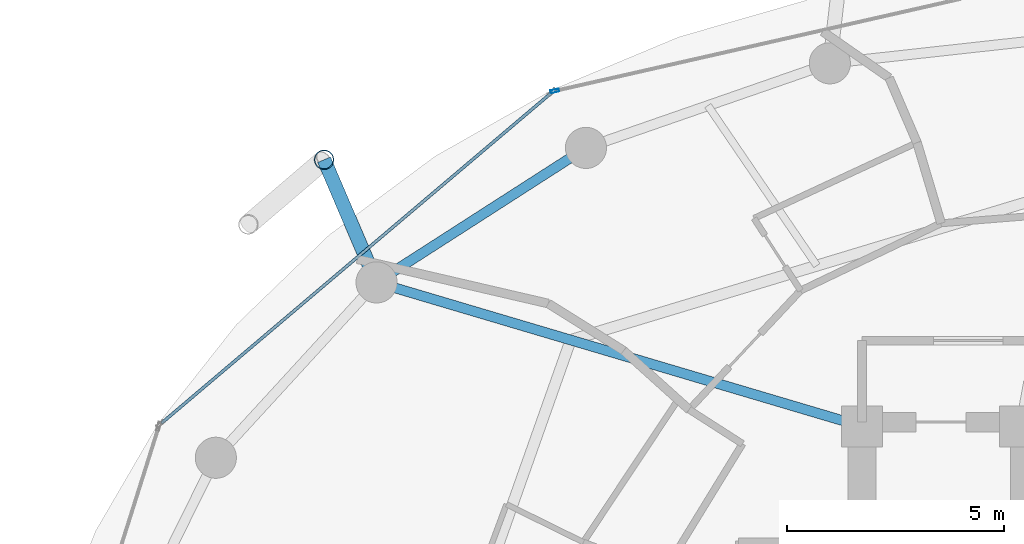
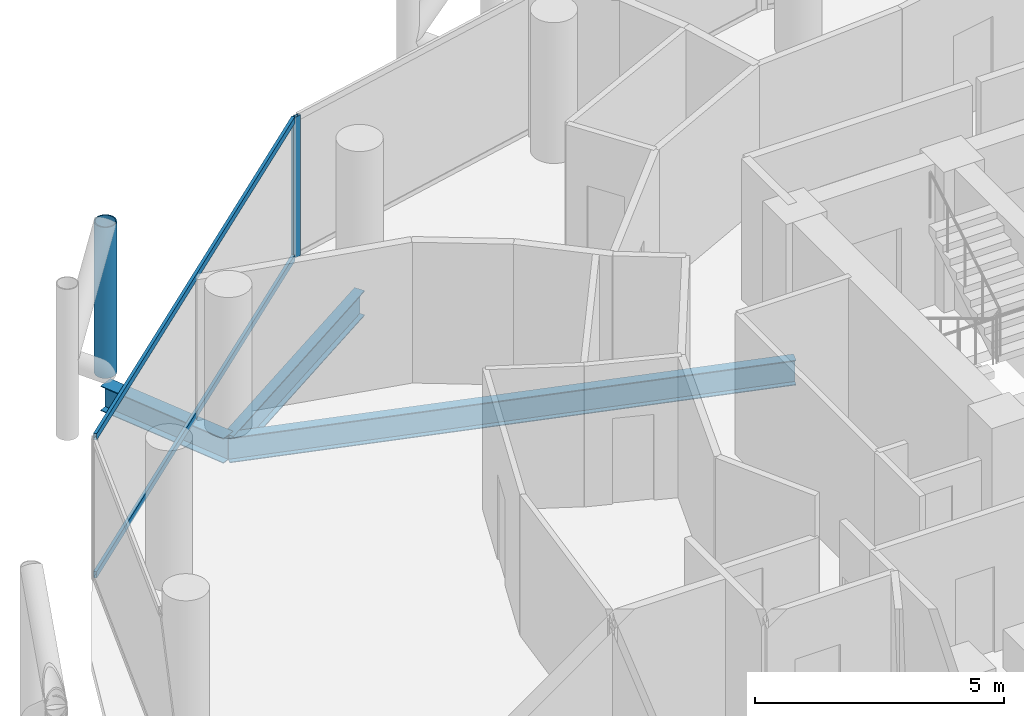
# One storey, part 14 of 26: 4 members, 3 beams, 2 elements without a shape of their own.
"""IFC4 building model written with IfcOpenShell, lengths in metres."""

from ifc_helpers import new_model, si_unit, direction, frame, origin, origin_2d, place, context, subcontext, project, spatial, hollow_rectangle, hollow_circle, i_section, extrude, material, layer, layer_set, material_profile, profile_set, type_object, element, aggregate, save


model = new_model("IFC4")

# Units and contexts
model_context = context("Model", 3, precision=1e-05, world=origin(), true_north=direction((0.0, 1.0)))
body_context = subcontext(model_context, "Body", "Model", "MODEL_VIEW")
ifc_project = project(units=[si_unit("LENGTHUNIT", "METRE"), si_unit("AREAUNIT", "SQUARE_METRE"), si_unit("VOLUMEUNIT", "CUBIC_METRE"), si_unit("PLANEANGLEUNIT", "RADIAN"), si_unit("MASSUNIT", "GRAM", prefix="KILO")], contexts=[model_context])

# Site, building, storey
site_placement = place(None, origin())
site = spatial("IfcSite", under=ifc_project, at=site_placement, CompositionType="ELEMENT")
building_placement = place(site_placement, origin())
building = spatial("IfcBuilding", under=site, at=building_placement, Name="Nuhasar Tower", CompositionType="ELEMENT")
storey_placement = place(building_placement, frame((0.0, 0.0, 118.25)))
storey = spatial("IfcBuildingStorey", under=building, at=storey_placement, Name="L27", CompositionType="ELEMENT", Elevation=118.25)

# Beams
ifc_material_1 = material(Name="Steel S355", Category="steel")
ifc_material_profile_1 = material_profile(ifc_material_1, i_section(OverallWidth=0.22900390625, OverallDepth=0.612060546875, WebThickness=0.011962890625, FlangeThickness=0.01953125, at=origin_2d()), Name="W24X84")
ifc_profile_set_1 = profile_set([ifc_material_profile_1], Name="Steel S355")
beam_type_1 = type_object("IfcBeamType", Name="BM-RAD-W24X84", PredefinedType="BEAM", material=ifc_profile_set_1)
beam_1_placement = place(storey_placement, frame((33.699951171875, 37.300048828125, -0.555908203125), z_axis=(-0.958746492721, 0.284262489076, 0.0), x_axis=(-0.284262489076, -0.958746492721, 0.0)))
element("IfcBeam", 1, at=beam_1_placement, inside=storey, type_object=beam_type_1, Name="L27 Radial Floor Girder 07", PredefinedType="BEAM", context=body_context, shape_type="SweptSolid", body=[
    extrude(i_section(OverallWidth=0.22900390625, OverallDepth=0.612060546875, WebThickness=0.011962890625, FlangeThickness=0.01953125, at=origin_2d()), origin(), (0.0, 0.0, 1.0), 11.693359375),
])
ifc_material_profile_2 = material_profile(ifc_material_1, i_section(OverallWidth=0.22998046875, OverallDepth=0.616943359375, WebThickness=0.01318359375, FlangeThickness=0.022216796875, at=origin_2d()), Name="W24X94")
ifc_profile_set_2 = profile_set([ifc_material_profile_2], Name="Steel S355")
beam_type_2 = type_object("IfcBeamType", Name="BM-RING-W24X94", PredefinedType="SPANDREL", material=ifc_profile_set_2)
beam_2_placement = place(storey_placement, frame((27.324951171875, 43.73095703125, -0.55810546875), z_axis=(-0.841327486207, -0.540525726448, 0.0), x_axis=(0.540525726448, -0.841327486207, 0.0)))
element("IfcBeam", 2, at=beam_2_placement, inside=storey, type_object=beam_type_2, Name="L27 Perimeter Ring Spandrel 09", PredefinedType="SPANDREL", context=body_context, shape_type="SweptSolid", body=[
    extrude(i_section(OverallWidth=0.22998046875, OverallDepth=0.616943359375, WebThickness=0.01318359375, FlangeThickness=0.022216796875, at=origin_2d()), origin(), (0.0, 0.0, 1.0), 5.748046875),
])
ifc_material_profile_3 = material_profile(ifc_material_1, i_section(OverallWidth=0.323974609375, OverallDepth=0.611083984375, WebThickness=0.0126953125, FlangeThickness=0.01904296875, at=origin_2d()), Name="W24X104")
ifc_profile_set_3 = profile_set([ifc_material_profile_3], Name="Steel S355")
beam_type_3 = type_object("IfcBeamType", Name="BM-TIE-W24X104", PredefinedType="BEAM", material=ifc_profile_set_3)
beam_3_placement = place(storey_placement, frame((22.489013671875, 40.6240234375, -0.554931640625), z_axis=(-0.39330721304, 0.919407111225, 0.0), x_axis=(-0.919407111225, -0.39330721304, 0.0)))
element("IfcBeam", 3, at=beam_3_placement, inside=storey, type_object=beam_type_3, Name="L27 Exoskeleton Node Tie Beam 05", PredefinedType="BEAM", context=body_context, shape_type="SweptSolid", body=[
    extrude(i_section(OverallWidth=0.323974609375, OverallDepth=0.611083984375, WebThickness=0.0126953125, FlangeThickness=0.01904296875, at=origin_2d()), origin(), (0.0, 0.0, 1.0), 3.081298828125),
])

# Curtain wall, member
ifc_material_2 = material(Name="Aluminium 6063-T6", Category="aluminium")
ifc_layer = layer(ifc_material_2, 0.199951171875)
ifc_layer_set = layer_set([ifc_layer], Name="Aluminium 6063-T6")
curtain_wall_type = type_object("IfcCurtainWallType", Name="CW-Z2-HTL", PredefinedType="NOTDEFINED", material=ifc_layer_set)
curtain_wall_1_placement = place(storey_placement, origin())
curtain_wall_1 = element("IfcCurtainWall", 4, at=curtain_wall_1_placement, inside=storey, type_object=curtain_wall_type, Name="L27 Unitised Curtain Wall 04", PredefinedType="NOTDEFINED")
ifc_material_profile_4 = material_profile(ifc_material_2, hollow_rectangle(XDim=0.070068359375, YDim=0.199951171875, WallThickness=0.0048828125, at=origin_2d()), Name="CWM-3")
ifc_profile_set_4 = profile_set([ifc_material_profile_4], Name="Aluminium 6063-T6")
member_type_1 = type_object("IfcMemberType", Name="CW-MUL-S3", PredefinedType="MULLION", material=ifc_profile_set_4)
member_1_placement = place(storey_placement, frame((26.604248046875, 45.045654296875, 0.0), z_axis=(0.0, 0.0, 1.0), x_axis=(0.22139729566, -0.975183694221, 0.0)))
member_1 = element("IfcMember", 5, at=member_1_placement, type_object=member_type_1, Name="CW-Z2 mullion 2", PredefinedType="MULLION", context=body_context, shape_type="SweptSolid", body=[
    extrude(hollow_rectangle(XDim=0.070068359375, YDim=0.199951171875, WallThickness=0.0048828125, at=origin_2d()), origin(), (0.0, 0.0, 1.0), 3.449951171875),
])
aggregate(curtain_wall_1, [member_1])

# Curtain wall, members
curtain_wall_2_placement = place(storey_placement, origin())
curtain_wall_2 = element("IfcCurtainWall", 6, at=curtain_wall_2_placement, inside=storey, type_object=curtain_wall_type, Name="L27 Unitised Curtain Wall 05", PredefinedType="NOTDEFINED")
ifc_material_profile_5 = material_profile(ifc_material_2, hollow_rectangle(XDim=0.070068359375, YDim=0.159912109375, WallThickness=0.00439453125, at=origin_2d()), Name="CWT-3")
ifc_profile_set_5 = profile_set([ifc_material_profile_5], Name="Aluminium 6063-T6")
member_type_2 = type_object("IfcMemberType", Name="CW-TRN-S3", PredefinedType="USERDEFINED", material=ifc_profile_set_5)
member_2_placement = place(storey_placement, frame((26.5166015625, 44.99267578125, 0.034912109375), z_axis=(-0.763023915269, -0.646370253592, 0.0), x_axis=(0.646370253592, -0.763023915269, 0.0)))
member_2 = element("IfcMember", 7, at=member_2_placement, type_object=member_type_2, Name="CW-Z2 transom 1.1", ObjectType="TRANSOM", PredefinedType="USERDEFINED", context=body_context, shape_type="SweptSolid", body=[
    extrude(hollow_rectangle(XDim=0.070068359375, YDim=0.159912109375, WallThickness=0.00439453125, at=origin_2d()), origin(), (0.0, 0.0, 1.0), 11.784912109375),
])
member_3_placement = place(storey_placement, frame((26.5166015625, 44.99267578125, 3.4150390625), z_axis=(-0.763023915269, -0.646370253592, 0.0), x_axis=(0.646370253592, -0.763023915269, 0.0)))
member_3 = element("IfcMember", 8, at=member_3_placement, type_object=member_type_2, Name="CW-Z2 transom 1.2", ObjectType="TRANSOM", PredefinedType="USERDEFINED", context=body_context, shape_type="SweptSolid", body=[
    extrude(hollow_rectangle(XDim=0.070068359375, YDim=0.159912109375, WallThickness=0.00439453125, at=origin_2d()), origin(), (0.0, 0.0, 1.0), 11.784912109375),
])
aggregate(curtain_wall_2, [member_2, member_3])

# Member
ifc_material_3 = material(Name="Steel S460", Category="steel")
ifc_material_profile_6 = material_profile(ifc_material_3, hollow_circle(Radius=0.228515625, WallThickness=0.022216796875, at=origin_2d()), Name="HSS457X22.2")
ifc_profile_set_6 = profile_set([ifc_material_profile_6], Name="Steel S460")
member_type_3 = type_object("IfcMemberType", Name="EXO-BRONZE-457", PredefinedType="BRACE", material=ifc_profile_set_6)
member_4_placement = place(storey_placement, frame((21.277099609375, 43.45703125, 0.0), z_axis=(0.0, 0.0, 1.0), x_axis=(1.0, 0.0, 0.0)))
element("IfcMember", 9, at=member_4_placement, inside=storey, type_object=member_type_3, Name="L27 Exoskeleton Chord Column EC-05A", PredefinedType="BRACE", context=body_context, shape_type="SweptSolid", body=[
    extrude(hollow_circle(Radius=0.228515625, WallThickness=0.022216796875, at=origin_2d()), origin(), (0.0, 0.0, 1.0), 3.699951171875),
])

save(model, "model.ifc")
